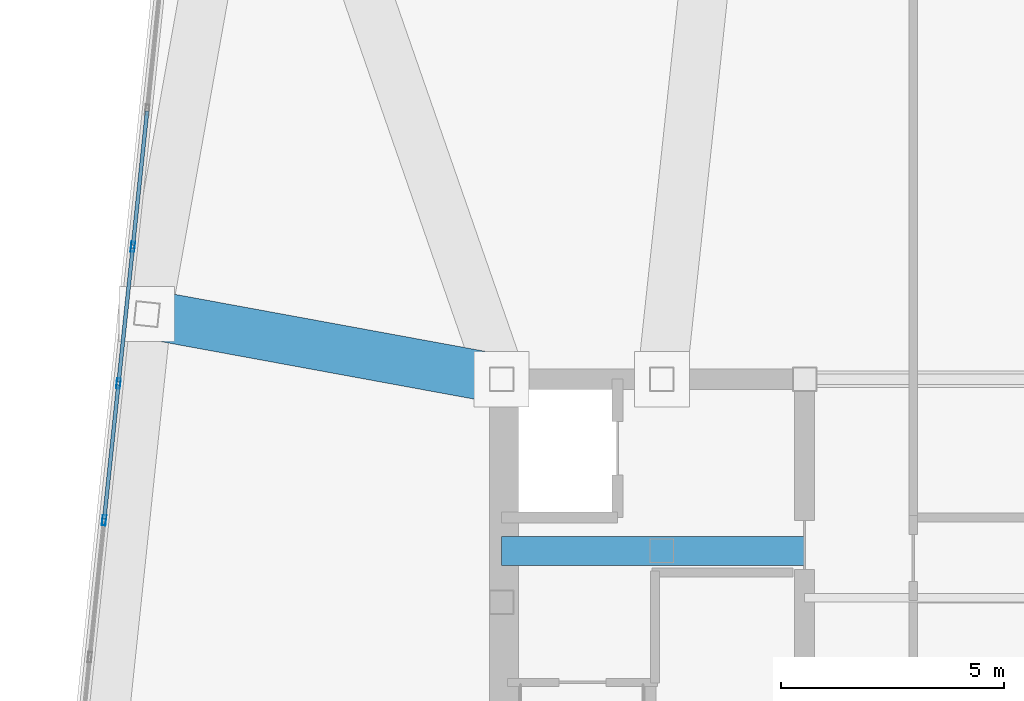
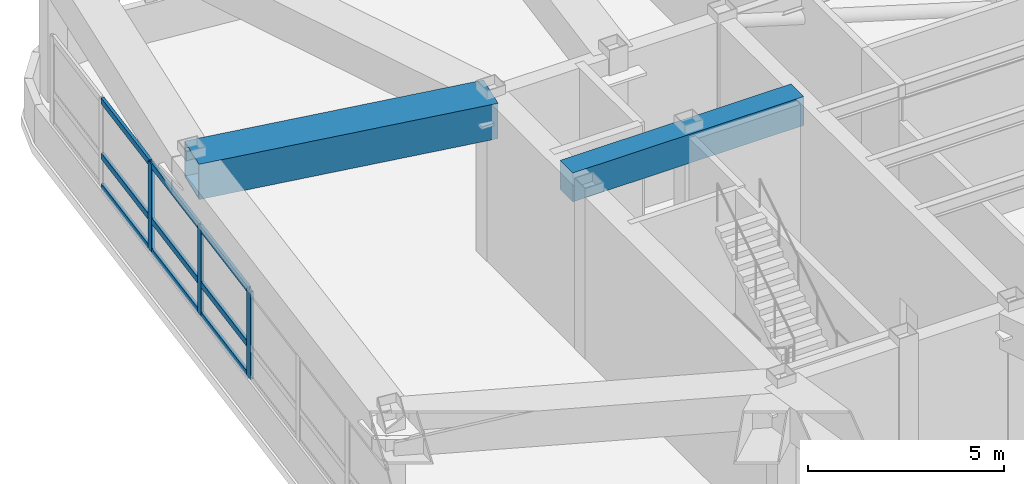
# One storey, part 7 of 23: 12 members, 2 beams, 1 element without a shape of its own.
"""IFC4 building model written with IfcOpenShell, lengths in metres."""

from ifc_helpers import new_model, si_unit, direction, frame, origin, origin_2d, place, context, subcontext, project, spatial, rectangle, hollow_rectangle, extrude, material, layer, layer_set, material_profile, profile_set, type_object, element, aggregate, save


model = new_model("IFC4")

# Units and contexts
model_context = context("Model", 3, precision=1e-05, world=origin(), true_north=direction((0.0, 1.0)))
body_context = subcontext(model_context, "Body", "Model", "MODEL_VIEW")
ifc_project = project(units=[si_unit("LENGTHUNIT", "METRE"), si_unit("AREAUNIT", "SQUARE_METRE"), si_unit("VOLUMEUNIT", "CUBIC_METRE"), si_unit("PLANEANGLEUNIT", "RADIAN"), si_unit("MASSUNIT", "GRAM", prefix="KILO")], contexts=[model_context])

# Site, building, storey
site_placement = place(None, origin())
site = spatial("IfcSite", under=ifc_project, at=site_placement, CompositionType="ELEMENT")
building_placement = place(site_placement, origin())
building = spatial("IfcBuilding", under=site, at=building_placement, Name="Voryun Gate Residences", CompositionType="ELEMENT")
storey_placement = place(building_placement, frame((0.0, 0.0, 316.0)))
storey = spatial("IfcBuildingStorey", under=building, at=storey_placement, Name="L78", CompositionType="ELEMENT", Elevation=316.0)

# Beams
ifc_material_1 = material(Name="Steel SM420", Category="steel")
ifc_material_profile_1 = material_profile(ifc_material_1, hollow_rectangle(XDim=1.10009765625, YDim=1.10009765625, WallThickness=0.035888671875, at=origin_2d()), Name="BOX-1100x1100x36")
ifc_profile_set_1 = profile_set([ifc_material_profile_1], Name="Steel SM420")
beam_type_1 = type_object("IfcBeamType", Name="BM_ARCH_RIB", PredefinedType="USERDEFINED", material=ifc_profile_set_1)
beam_1_placement = place(storey_placement, frame((-19.199951171875, 7.39990234375, 4.47509765625), z_axis=(-0.983548260318, 0.180645563534, 0.0), x_axis=(-0.180645563534, -0.983548260318, 0.0)))
element("IfcBeam", 1, at=beam_1_placement, inside=storey, type_object=beam_type_1, Name="BM-L78-RAD-W1", ObjectType="GIRDER", PredefinedType="USERDEFINED", context=body_context, shape_type="SweptSolid", body=[
    extrude(hollow_rectangle(XDim=1.10009765625, YDim=1.10009765625, WallThickness=0.035888671875, at=origin_2d()), origin(), (0.0, 0.0, 1.0), 8.09130859375),
])
ifc_material_2 = material(Name="Concrete C60/75", Category="concrete")
ifc_material_profile_2 = material_profile(ifc_material_2, rectangle(XDim=0.64990234375, YDim=0.89990234375, at=origin_2d()), Name="RC-650x900")
ifc_profile_set_2 = profile_set([ifc_material_profile_2], Name="Concrete C60/75")
beam_type_2 = type_object("IfcBeamType", Name="BM_COUP_RC900", PredefinedType="LINTEL", material=ifc_profile_set_2)
beam_2_placement = place(storey_placement, frame((-19.199951171875, 3.550048828125, 4.574951171875), z_axis=(1.0, 0.0, 0.0), x_axis=(0.0, 1.0, 0.0)))
element("IfcBeam", 2, at=beam_2_placement, inside=storey, type_object=beam_type_2, Name="BM-L78-WC1", PredefinedType="LINTEL", context=body_context, shape_type="SweptSolid", body=[
    extrude(rectangle(XDim=0.64990234375, YDim=0.89990234375, at=origin_2d()), origin(), (0.0, 0.0, 1.0), 6.800048828125),
])

# Curtain wall, members
ifc_material_3 = material(Name="Anodised aluminium", Category="aluminium")
ifc_layer = layer(ifc_material_3, 0.22998046875, Name="CW_SYS_LANTERN_DARK_GLASS")
ifc_layer_set = layer_set([ifc_layer], Name="Anodised aluminium")
curtain_wall_type = type_object("IfcCurtainWallType", Name="CW_SYS_LANTERN_DARK_GLASS", PredefinedType="NOTDEFINED", material=ifc_layer_set)
curtain_wall_placement = place(storey_placement, origin())
curtain_wall = element("IfcCurtainWall", 3, at=curtain_wall_placement, inside=storey, type_object=curtain_wall_type, Name="Curtain wall CW6-L78-06", PredefinedType="NOTDEFINED")
ifc_material_4 = material(Name="Anodised aluminium", Category="aluminium")
ifc_material_profile_3 = material_profile(ifc_material_4, hollow_rectangle(XDim=0.0849609375, YDim=0.22998046875, WallThickness=0.006103515625, at=origin_2d()), Name="ALU-MULL-230x85x6")
ifc_profile_set_3 = profile_set([ifc_material_profile_3], Name="Anodised aluminium")
member_type_1 = type_object("IfcMemberType", Name="CW_MULL_LANT", PredefinedType="MULLION", material=ifc_profile_set_3)
member_1_placement = place(storey_placement, frame((-28.1171875, 4.234375, 1.18994140625), z_axis=(0.0, 0.0, 1.0), x_axis=(-0.994521943608, 0.104528004296, 0.0)))
member_1 = element("IfcMember", 4, at=member_1_placement, type_object=member_type_1, Name="CW6 mullion 6", PredefinedType="MULLION", context=body_context, shape_type="SweptSolid", body=[
    extrude(hollow_rectangle(XDim=0.0849609375, YDim=0.22998046875, WallThickness=0.006103515625, at=origin_2d()), origin(), (0.0, 0.0, 1.0), 2.72509765625),
])
member_2_placement = place(storey_placement, frame((-27.79443359375, 7.305419921875, 1.18994140625), z_axis=(0.0, 0.0, 1.0), x_axis=(-0.994521943608, 0.104528004296, 0.0)))
member_2 = element("IfcMember", 5, at=member_2_placement, type_object=member_type_1, Name="CW6 mullion 7", PredefinedType="MULLION", context=body_context, shape_type="SweptSolid", body=[
    extrude(hollow_rectangle(XDim=0.0849609375, YDim=0.22998046875, WallThickness=0.006103515625, at=origin_2d()), origin(), (0.0, 0.0, 1.0), 2.72509765625),
])
member_3_placement = place(storey_placement, frame((-27.4716796875, 10.376220703125, 1.18994140625), z_axis=(0.0, 0.0, 1.0), x_axis=(-0.994521943608, 0.104528004296, 0.0)))
member_3 = element("IfcMember", 6, at=member_3_placement, type_object=member_type_1, Name="CW6 mullion 8", PredefinedType="MULLION", context=body_context, shape_type="SweptSolid", body=[
    extrude(hollow_rectangle(XDim=0.0849609375, YDim=0.22998046875, WallThickness=0.006103515625, at=origin_2d()), origin(), (0.0, 0.0, 1.0), 2.72509765625),
])
ifc_material_5 = material(Name="Anodised aluminium", Category="aluminium")
ifc_material_profile_4 = material_profile(ifc_material_5, hollow_rectangle(XDim=0.0849609375, YDim=0.18994140625, WallThickness=0.006103515625, at=origin_2d()), Name="ALU-TRAN-190x85x6")
ifc_profile_set_4 = profile_set([ifc_material_profile_4], Name="Anodised aluminium")
member_type_2 = type_object("IfcMemberType", Name="CW_TRAN_LANT", PredefinedType="USERDEFINED", material=ifc_profile_set_4)
member_4_placement = place(storey_placement, frame((-28.114013671875, 4.26416015625, 1.219970703125), z_axis=(0.104500100479, 0.994524876009, 0.0), x_axis=(-0.994524876009, 0.104500100479, 0.0)))
member_4 = element("IfcMember", 7, at=member_4_placement, type_object=member_type_2, Name="CW6 transom 6.1", ObjectType="TRANSOM", PredefinedType="USERDEFINED", context=body_context, shape_type="SweptSolid", body=[
    extrude(hollow_rectangle(XDim=0.0849609375, YDim=0.18994140625, WallThickness=0.006103515625, at=origin_2d()), origin(), (0.0, 0.0, 1.0), 3.02783203125),
])
member_5_placement = place(storey_placement, frame((-28.114013671875, 4.26416015625, 2.1708984375), z_axis=(0.104500100479, 0.994524876009, 0.0), x_axis=(-0.994524876009, 0.104500100479, 0.0)))
member_5 = element("IfcMember", 8, at=member_5_placement, type_object=member_type_2, Name="CW6 transom 6.2", ObjectType="TRANSOM", PredefinedType="USERDEFINED", context=body_context, shape_type="SweptSolid", body=[
    extrude(hollow_rectangle(XDim=0.0849609375, YDim=0.18994140625, WallThickness=0.006103515625, at=origin_2d()), origin(), (0.0, 0.0, 1.0), 3.02783203125),
])
member_6_placement = place(storey_placement, frame((-28.114013671875, 4.26416015625, 3.885009765625), z_axis=(0.104500100479, 0.994524876009, 0.0), x_axis=(-0.994524876009, 0.104500100479, 0.0)))
member_6 = element("IfcMember", 9, at=member_6_placement, type_object=member_type_2, Name="CW6 transom 6.3", ObjectType="TRANSOM", PredefinedType="USERDEFINED", context=body_context, shape_type="SweptSolid", body=[
    extrude(hollow_rectangle(XDim=0.0849609375, YDim=0.18994140625, WallThickness=0.006103515625, at=origin_2d()), origin(), (0.0, 0.0, 1.0), 3.02783203125),
])
member_7_placement = place(storey_placement, frame((-27.791259765625, 7.335205078125, 1.219970703125), z_axis=(0.104500100479, 0.994524876009, 0.0), x_axis=(-0.994524876009, 0.104500100479, 0.0)))
member_7 = element("IfcMember", 10, at=member_7_placement, type_object=member_type_2, Name="CW6 transom 7.1", ObjectType="TRANSOM", PredefinedType="USERDEFINED", context=body_context, shape_type="SweptSolid", body=[
    extrude(hollow_rectangle(XDim=0.0849609375, YDim=0.18994140625, WallThickness=0.006103515625, at=origin_2d()), origin(), (0.0, 0.0, 1.0), 3.02783203125),
])
member_8_placement = place(storey_placement, frame((-27.791259765625, 7.335205078125, 2.1708984375), z_axis=(0.104500100479, 0.994524876009, 0.0), x_axis=(-0.994524876009, 0.104500100479, 0.0)))
member_8 = element("IfcMember", 11, at=member_8_placement, type_object=member_type_2, Name="CW6 transom 7.2", ObjectType="TRANSOM", PredefinedType="USERDEFINED", context=body_context, shape_type="SweptSolid", body=[
    extrude(hollow_rectangle(XDim=0.0849609375, YDim=0.18994140625, WallThickness=0.006103515625, at=origin_2d()), origin(), (0.0, 0.0, 1.0), 3.02783203125),
])
member_9_placement = place(storey_placement, frame((-27.791259765625, 7.335205078125, 3.885009765625), z_axis=(0.104500100479, 0.994524876009, 0.0), x_axis=(-0.994524876009, 0.104500100479, 0.0)))
member_9 = element("IfcMember", 12, at=member_9_placement, type_object=member_type_2, Name="CW6 transom 7.3", ObjectType="TRANSOM", PredefinedType="USERDEFINED", context=body_context, shape_type="SweptSolid", body=[
    extrude(hollow_rectangle(XDim=0.0849609375, YDim=0.18994140625, WallThickness=0.006103515625, at=origin_2d()), origin(), (0.0, 0.0, 1.0), 3.02783203125),
])
member_10_placement = place(storey_placement, frame((-27.468505859375, 10.406005859375, 1.219970703125), z_axis=(0.104500100479, 0.994524876009, 0.0), x_axis=(-0.994524876009, 0.104500100479, 0.0)))
member_10 = element("IfcMember", 13, at=member_10_placement, type_object=member_type_2, Name="CW6 transom 8.1", ObjectType="TRANSOM", PredefinedType="USERDEFINED", context=body_context, shape_type="SweptSolid", body=[
    extrude(hollow_rectangle(XDim=0.0849609375, YDim=0.18994140625, WallThickness=0.006103515625, at=origin_2d()), origin(), (0.0, 0.0, 1.0), 3.02783203125),
])
member_11_placement = place(storey_placement, frame((-27.468505859375, 10.406005859375, 2.1708984375), z_axis=(0.104500100479, 0.994524876009, 0.0), x_axis=(-0.994524876009, 0.104500100479, 0.0)))
member_11 = element("IfcMember", 14, at=member_11_placement, type_object=member_type_2, Name="CW6 transom 8.2", ObjectType="TRANSOM", PredefinedType="USERDEFINED", context=body_context, shape_type="SweptSolid", body=[
    extrude(hollow_rectangle(XDim=0.0849609375, YDim=0.18994140625, WallThickness=0.006103515625, at=origin_2d()), origin(), (0.0, 0.0, 1.0), 3.02783203125),
])
member_12_placement = place(storey_placement, frame((-27.468505859375, 10.406005859375, 3.885009765625), z_axis=(0.104500100479, 0.994524876009, 0.0), x_axis=(-0.994524876009, 0.104500100479, 0.0)))
member_12 = element("IfcMember", 15, at=member_12_placement, type_object=member_type_2, Name="CW6 transom 8.3", ObjectType="TRANSOM", PredefinedType="USERDEFINED", context=body_context, shape_type="SweptSolid", body=[
    extrude(hollow_rectangle(XDim=0.0849609375, YDim=0.18994140625, WallThickness=0.006103515625, at=origin_2d()), origin(), (0.0, 0.0, 1.0), 3.02783203125),
])
aggregate(curtain_wall, [member_1, member_2, member_3, member_4, member_5, member_6, member_7, member_8, member_9, member_10, member_11, member_12])

save(model, "model.ifc")
